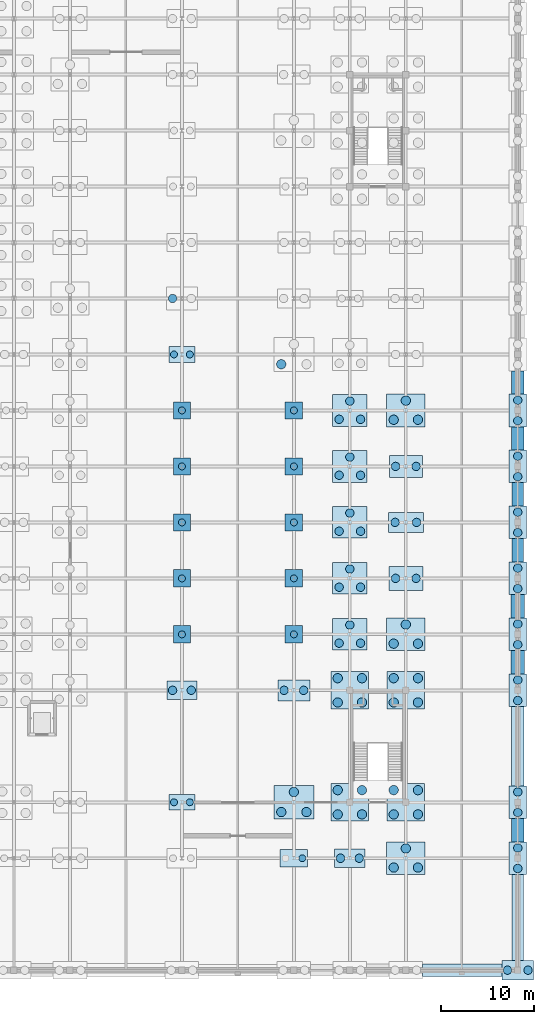
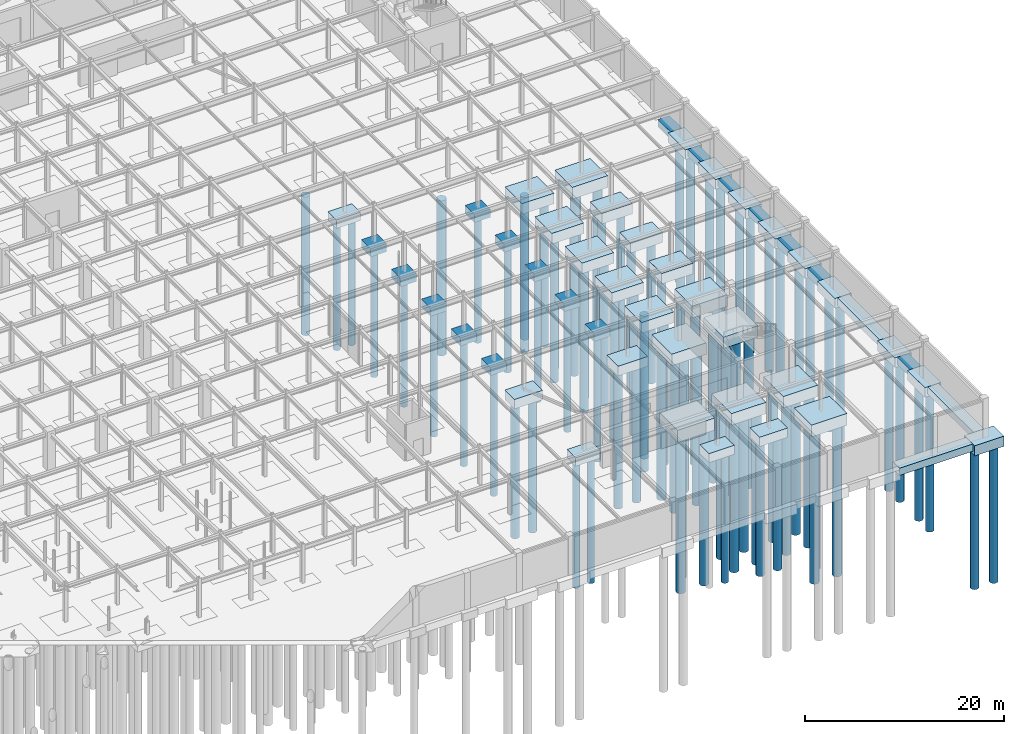
# One storey, part 9 of 69: 90 piles, 51 footings.
"""IFC4 building model written with IfcOpenShell, lengths in metres."""

import ifcopenshell
import ifcopenshell.guid

model = None  # the IFC model being written
_history = None  # IfcOwnerHistory: only IFC2X3 demands one
_inside = {}  # id of a spatial element -> (the spatial element, [elements in it])
_under = {}  # id of a project, library or spatial element -> (it, [spatial elements below it])
_declared = {}  # id of a project -> (the project, [libraries it declares])
_typed = {}  # id of a type object -> (the type object, [elements of that type])
_made_of = {}  # id of a material, layer set ... -> (it, [elements and type objects made of it])


def new_model(schema):
    """Start an empty IFC model of exactly this schema.

    Asked for "IFC4X3", IfcOpenShell would pick the latest addendum, in which some entities
    have other attributes; the version numbers below select the first issue.
    IFC2X3 requires an IfcOwnerHistory on every rooted entity: one is made here for all.
    """
    global model, _history
    if schema == "IFC4X3":
        model = ifcopenshell.file(schema_version=(4, 3, 0, 0))
    else:
        model = ifcopenshell.file(schema=schema)
    _inside.clear()
    _under.clear()
    _declared.clear()
    _typed.clear()
    _made_of.clear()
    _history = None
    if model.schema == "IFC2X3":
        org = make("IfcOrganization", Name="unknown")
        user = make(
            "IfcPersonAndOrganization",
            ThePerson=make("IfcPerson", FamilyName="unknown"),
            TheOrganization=org,
        )
        app = make(
            "IfcApplication",
            ApplicationDeveloper=org,
            Version="unknown",
            ApplicationFullName="unknown",
            ApplicationIdentifier="unknown",
        )
        _history = make(
            "IfcOwnerHistory",
            OwningUser=user,
            OwningApplication=app,
            ChangeAction="ADDED",
            CreationDate=0,
        )
    return model


def make(cls, **values):
    """One entity of the class cls with the attributes given. An attribute that is None is left unset."""
    return model.create_entity(
        cls, **{name: value for name, value in values.items() if value is not None}
    )


def rooted(cls, **values):
    """An entity with a GlobalId (a new one), such as an element, a storey or a relation."""
    return make(cls, GlobalId=ifcopenshell.guid.new(), OwnerHistory=_history, **values)


def si_unit(unit_type, name, prefix=None):
    """IfcSIUnit, for example si_unit("LENGTHUNIT", "METRE", prefix="MILLI")."""
    return make("IfcSIUnit", UnitType=unit_type, Prefix=prefix, Name=name)


def assignment(units):
    """IfcUnitAssignment: the units of a project."""
    return None if units is None else make("IfcUnitAssignment", Units=units)


def point(xyz):
    """IfcCartesianPoint."""
    return None if xyz is None else make("IfcCartesianPoint", Coordinates=xyz)


def direction(xyz):
    """IfcDirection."""
    return None if xyz is None else make("IfcDirection", DirectionRatios=xyz)


def frame(location, z_axis=None, x_axis=None):
    """IfcAxis2Placement3D, a coordinate frame: its origin and axes. An axis left out is left unset."""
    return make(
        "IfcAxis2Placement3D",
        Location=point(location),
        Axis=direction(z_axis),
        RefDirection=direction(x_axis),
    )


def frame_2d(location, x_axis=None):
    """IfcAxis2Placement2D, a coordinate frame in the plane: its origin and x axis."""
    return make(
        "IfcAxis2Placement2D", Location=point(location), RefDirection=direction(x_axis)
    )


def origin():
    """The frame at (0, 0, 0) with its axes left unset."""
    return frame((0.0, 0.0, 0.0))


def origin_2d():
    """The frame at (0, 0) in the plane with its x axis left unset."""
    return frame_2d((0.0, 0.0))


def place(relative_to, where):
    """IfcLocalPlacement: puts the frame where relative to a parent placement (None: the world)."""
    return make(
        "IfcLocalPlacement", PlacementRelTo=relative_to, RelativePlacement=where
    )


def context(
    kind, dimensions, precision=None, world=None, true_north=None, identifier=None
):
    """IfcGeometricRepresentationContext, for example the 3D "Model" context."""
    return make(
        "IfcGeometricRepresentationContext",
        ContextIdentifier=identifier,
        ContextType=kind,
        CoordinateSpaceDimension=dimensions,
        Precision=precision,
        WorldCoordinateSystem=world,
        TrueNorth=true_north,
    )


def subcontext(parent, identifier, kind, view, scale=None):
    """IfcGeometricRepresentationSubContext, for example "Body" below "Model"."""
    return make(
        "IfcGeometricRepresentationSubContext",
        ContextIdentifier=identifier,
        ContextType=kind,
        ParentContext=parent,
        TargetScale=scale,
        TargetView=view,
    )


def project(units=None, contexts=None):
    """IfcProject with its units and contexts."""
    return rooted(
        "IfcProject",
        Name="project",
        RepresentationContexts=contexts,
        UnitsInContext=assignment(units),
    )


def spatial(cls, under=None, at=None, **own):
    """A site, building, storey or space (cls), placed at a placement, below another one or the project."""
    s = rooted(cls, ObjectPlacement=at, **own)
    if under is not None:
        _under.setdefault(under.id(), (under, []))[1].append(s)
    return s


def profile(cls, at=None, kind="AREA", **sizes):
    """A parametric profile (cls). Its sizes go by their IFC names, for example OverallWidth=200.0."""
    return make(cls, ProfileType=kind, Position=at, **sizes)


def rectangle(**sizes):
    """IfcRectangleProfileDef."""
    return profile("IfcRectangleProfileDef", **sizes)


def circle(**sizes):
    """IfcCircleProfileDef."""
    return profile("IfcCircleProfileDef", **sizes)


def extrude(swept, where, along, depth):
    """IfcExtrudedAreaSolid: the profile swept, set in the frame where, extruded along a direction by depth."""
    return make(
        "IfcExtrudedAreaSolid",
        SweptArea=swept,
        Position=where,
        ExtrudedDirection=direction(along),
        Depth=depth,
    )


def shape(context_of_items, identifier, shape_type, items):
    """IfcShapeRepresentation: the items that make up one representation, for example the "Body"."""
    return make(
        "IfcShapeRepresentation",
        ContextOfItems=context_of_items,
        RepresentationIdentifier=identifier,
        RepresentationType=shape_type,
        Items=items,
    )


def material(Name=None, Category=None):
    """IfcMaterial."""
    return make("IfcMaterial", Name=Name, Category=Category)


def material_profile(
    of_material, cross_section, Name=None, Category=None, Priority=None
):
    """IfcMaterialProfile: a cross section and its material."""
    return make(
        "IfcMaterialProfile",
        Name=Name,
        Material=of_material,
        Profile=cross_section,
        Priority=Priority,
        Category=Category,
    )


def profile_set(profiles, Name=None, composite=None):
    """IfcMaterialProfileSet."""
    return make(
        "IfcMaterialProfileSet",
        Name=Name,
        MaterialProfiles=profiles,
        CompositeProfile=composite,
    )


def made_of(thing, what):
    """Note that an element or type object is made of a material, layer set ...; save() writes the relation."""
    if what is not None:
        _made_of.setdefault(what.id(), (what, []))[1].append(thing)
    return thing


def type_object(cls, material=None, **own):
    """A type object (cls), such as IfcWallType, which elements share."""
    return made_of(rooted(cls, **own), material)


def element(
    cls,
    number,
    at=None,
    inside=None,
    cuts=None,
    type_object=None,
    material=None,
    context=None,
    identifier="Body",
    shape_type=None,
    held_by="IfcProductDefinitionShape",
    body=None,
    shapes=None,
    **own,
):
    """One element of the class cls, such as IfcWall. Its Tag is "e" and its number.

    at: its placement. inside: the storey or other place that contains it. cuts: it is an
    opening in that element (IfcRelVoidsElement). A single representation is given by context,
    identifier, shape_type and body (its items); several are given by shapes. held_by: the class
    of the entity that holds the representations. save() writes the other relations.
    """
    e = rooted(cls, Tag="e%d" % number, ObjectPlacement=at, **own)
    if body is not None:
        shapes = [shape(context, identifier, shape_type, body)]
    if shapes is not None:
        e.Representation = make(held_by, Representations=shapes)
    if inside is not None:
        _inside.setdefault(inside.id(), (inside, []))[1].append(e)
    if cuts is not None:
        rooted(
            "IfcRelVoidsElement", RelatingBuildingElement=cuts, RelatedOpeningElement=e
        )
    if type_object is not None:
        _typed.setdefault(type_object.id(), (type_object, []))[1].append(e)
    return made_of(e, material)


def aggregate(whole, parts):
    """IfcRelAggregates: a whole, such as a stair, and the parts it consists of."""
    return rooted("IfcRelAggregates", RelatingObject=whole, RelatedObjects=parts)


def save(model, path):
    """Write the relations noted so far, then the file.

    IfcRelAggregates (storeys below a building ...), IfcRelContainedInSpatialStructure (elements
    in a storey), IfcRelDefinesByType, IfcRelAssociatesMaterial and IfcRelDeclares: one each for
    every whole, place, type object, material and project.
    """
    for whole, parts in _under.values():
        aggregate(whole, parts)
    for where, things in _inside.values():
        rooted(
            "IfcRelContainedInSpatialStructure",
            RelatedElements=things,
            RelatingStructure=where,
        )
    for kind, things in _typed.values():
        rooted("IfcRelDefinesByType", RelatedObjects=things, RelatingType=kind)
    for what, things in _made_of.values():
        rooted("IfcRelAssociatesMaterial", RelatedObjects=things, RelatingMaterial=what)
    for by, libraries in _declared.values():
        rooted("IfcRelDeclares", RelatingContext=by, RelatedDefinitions=libraries)
    model.write(path)


model = new_model("IFC4")

# Units and contexts
model_context = context("Model", 3, precision=1e-05, world=origin(), true_north=direction((0.0, 1.0)))
body_context = subcontext(model_context, "Body", "Model", "MODEL_VIEW")
ifc_project = project(units=[si_unit("LENGTHUNIT", "METRE"), si_unit("AREAUNIT", "SQUARE_METRE"), si_unit("VOLUMEUNIT", "CUBIC_METRE"), si_unit("PLANEANGLEUNIT", "RADIAN"), si_unit("MASSUNIT", "GRAM", prefix="KILO")], contexts=[model_context])

# Site, building, storey
site_placement = place(None, origin())
site = spatial("IfcSite", under=ifc_project, at=site_placement, CompositionType="ELEMENT")
building_placement = place(site_placement, origin())
building = spatial("IfcBuilding", under=site, at=building_placement, Name="Zlatovratsky Civic Hall", CompositionType="ELEMENT")
storey_placement = place(building_placement, frame((0.0, 0.0, -4.800048828125)))
storey = spatial("IfcBuildingStorey", under=building, at=storey_placement, Name="B1", CompositionType="ELEMENT", Elevation=-4.800048828125)

# Footings
ifc_material = material(Name="Concrete C25/30 (B30)", Category="concrete")
footing_type_1 = type_object("IfcFootingType", Name="Footing_Cap1_CourtUnder_1850x1850x1000", PredefinedType="PILE_CAP", material=ifc_material)
for number, where, z_axis, x_axis, name in (
    (1, (132.0, 36.0, -1.0), (0.0, 0.0, 1.0), (1.0, 0.0, 0.0), "FD-111"),
    (2, (144.0, 36.0, -1.0), (0.0, 0.0, 1.0), (1.0, 0.0, 0.0), "FD-112"),
    (3, (132.0, 42.0, -1.0), (0.0, 0.0, 1.0), (1.0, 0.0, 0.0), "FD-134"),
    (4, (144.0, 42.0, -1.0), (0.0, 0.0, 1.0), (1.0, 0.0, 0.0), "FD-135"),
    (5, (132.0, 48.0, -1.0), (0.0, 0.0, 1.0), (1.0, 0.0, 0.0), "FD-157"),
    (6, (144.0, 48.0, -1.0), (0.0, 0.0, 1.0), (1.0, 0.0, 0.0), "FD-158"),
    (7, (132.0, 54.0, -1.0), (0.0, 0.0, 1.0), (1.0, 0.0, 0.0), "FD-180"),
    (8, (144.0, 54.0, -1.0), (0.0, 0.0, 1.0), (1.0, 0.0, 0.0), "FD-181"),
    (9, (132.0, 60.0, -1.0), (0.0, 0.0, 1.0), (1.0, 0.0, 0.0), "FD-203"),
    (10, (144.0, 60.0, -1.0), (0.0, 0.0, 1.0), (1.0, 0.0, 0.0), "FD-204"),
):
    element("IfcFooting", number, at=place(storey_placement, frame(where, z_axis=z_axis, x_axis=x_axis)), inside=storey, type_object=footing_type_1, Name=name, PredefinedType="PILE_CAP", context=body_context, shape_type="SweptSolid", body=[
        extrude(rectangle(XDim=1.85009765625, YDim=1.85009765625, at=origin_2d()), origin(), (0.0, 0.0, 1.0), 1.0),
    ])
footing_type_2 = type_object("IfcFootingType", Name="Footing_Cap2_ArchiveS_3250x1950x1150", PredefinedType="PILE_CAP", material=ifc_material)
for number, where, z_axis, x_axis, name in (
    (11, (150.0, 12.0, -1.14990234375), (0.0, 0.0, 1.0), (1.0, 0.0, 0.0), "FD-044"),
    (12, (132.0, 30.0, -1.14990234375), (0.0, 0.0, 1.0), (1.0, 0.0, 0.0), "FD-088"),
):
    element("IfcFooting", number, at=place(storey_placement, frame(where, z_axis=z_axis, x_axis=x_axis)), inside=storey, type_object=footing_type_2, Name=name, PredefinedType="PILE_CAP", context=body_context, shape_type="SweptSolid", body=[
        extrude(rectangle(XDim=3.25, YDim=1.949951171875, at=origin_2d()), origin(), (0.0, 0.0, 1.0), 1.14990234375),
    ])
footing_type_3 = type_object("IfcFootingType", Name="Footing_Cap2_Boulevard_3550x2350x1300", PredefinedType="PILE_CAP", material=ifc_material)
footing_1_placement = place(storey_placement, frame((156.0, 54.0, -1.2998046875), z_axis=(0.0, 0.0, 1.0), x_axis=(1.0, 0.0, 0.0)))
element("IfcFooting", 13, at=footing_1_placement, inside=storey, type_object=footing_type_3, Name="FD-183", PredefinedType="PILE_CAP", context=body_context, shape_type="SweptSolid", body=[
    extrude(rectangle(XDim=3.550048828125, YDim=2.35009765625, at=origin_2d()), origin(), (0.0, 0.0, 1.0), 1.300048828125),
])
footing_type_4 = type_object("IfcFootingType", Name="Footing_Cap2_CornerBastion_3400x2100x1250", PredefinedType="PILE_CAP", material=ifc_material)
footing_2_placement = place(storey_placement, frame((168.0, 0.0, -1.25), z_axis=(0.0, 0.0, 1.0), x_axis=(1.0, 0.0, 0.0)))
element("IfcFooting", 14, at=footing_2_placement, inside=storey, type_object=footing_type_4, Name="FD-023", PredefinedType="PILE_CAP", context=body_context, shape_type="SweptSolid", body=[
    extrude(rectangle(XDim=3.39990234375, YDim=2.10009765625, at=origin_2d()), origin(), (0.0, 0.0, 1.0), 1.25),
])
footing_type_5 = type_object("IfcFootingType", Name="Footing_Cap2_CourtN_2950x1850x1100", PredefinedType="PILE_CAP", material=ifc_material)
footing_3_placement = place(storey_placement, frame((144.0, 12.0, -1.10009765625), z_axis=(0.0, 0.0, 1.0), x_axis=(1.0, 0.0, 0.0)))
element("IfcFooting", 15, at=footing_3_placement, inside=storey, type_object=footing_type_5, Name="FD-043", PredefinedType="PILE_CAP", context=body_context, shape_type="SweptSolid", body=[
    extrude(rectangle(XDim=2.949951171875, YDim=1.85009765625, at=origin_2d()), origin(), (0.0, 0.0, 1.0), 1.10009765625),
])
footing_type_6 = type_object("IfcFootingType", Name="Footing_Cap2_CourtS_2800x1700x1050", PredefinedType="PILE_CAP", material=ifc_material)
for number, where, z_axis, x_axis, name in (
    (16, (132.0, 18.0, -1.0498046875), (0.0, 0.0, 1.0), (1.0, 0.0, 0.0), "FD-065"),
    (17, (132.0, 66.0, -1.0498046875), (0.0, 0.0, 1.0), (1.0, 0.0, 0.0), "FD-226"),
):
    element("IfcFooting", number, at=place(storey_placement, frame(where, z_axis=z_axis, x_axis=x_axis)), inside=storey, type_object=footing_type_6, Name=name, PredefinedType="PILE_CAP", context=body_context, shape_type="SweptSolid", body=[
        extrude(rectangle(XDim=2.800048828125, YDim=1.699951171875, at=origin_2d()), origin(), (0.0, 0.0, 1.0), 1.050048828125),
    ])
footing_type_7 = type_object("IfcFootingType", Name="Footing_Cap2_LibraryE_3650x2550x1300", PredefinedType="PILE_CAP", material=ifc_material)
footing_4_placement = place(storey_placement, frame((156.0, 42.0, -1.2998046875), z_axis=(0.0, 0.0, 1.0), x_axis=(1.0, 0.0, 0.0)))
element("IfcFooting", 18, at=footing_4_placement, inside=storey, type_object=footing_type_7, Name="FD-137", PredefinedType="PILE_CAP", context=body_context, shape_type="SweptSolid", body=[
    extrude(rectangle(XDim=3.64990234375, YDim=2.550048828125, at=origin_2d()), origin(), (0.0, 0.0, 1.0), 1.300048828125),
])
footing_type_8 = type_object("IfcFootingType", Name="Footing_Cap2_ReceptionW_3450x2250x1200", PredefinedType="PILE_CAP", material=ifc_material)
footing_5_placement = place(storey_placement, frame((144.0, 30.0, -1.19970703125), z_axis=(0.0, 0.0, 1.0), x_axis=(1.0, 0.0, 0.0)))
element("IfcFooting", 19, at=footing_5_placement, inside=storey, type_object=footing_type_8, Name="FD-089", PredefinedType="PILE_CAP", context=body_context, shape_type="SweptSolid", body=[
    extrude(rectangle(XDim=3.449951171875, YDim=2.25, at=origin_2d()), origin(), (0.0, 0.0, 1.0), 1.199951171875),
])
footing_type_9 = type_object("IfcFootingType", Name="Footing_Cap2_ServiceE_3750x2150x1250", PredefinedType="PILE_CAP", material=ifc_material)
footing_6_placement = place(storey_placement, frame((156.0, 48.0, -1.25), z_axis=(0.0, 0.0, 1.0), x_axis=(1.0, 0.0, 0.0)))
element("IfcFooting", 20, at=footing_6_placement, inside=storey, type_object=footing_type_9, Name="FD-160", PredefinedType="PILE_CAP", context=body_context, shape_type="SweptSolid", body=[
    extrude(rectangle(XDim=3.75, YDim=2.14990234375, at=origin_2d()), origin(), (0.0, 0.0, 1.0), 1.25),
])
footing_type_10 = type_object("IfcFootingType", Name="Footing_Cap2_WingEdgeY_1900x3500x1200", PredefinedType="PILE_CAP", material=ifc_material)
for number, where, z_axis, x_axis, name in (
    (21, (168.0, 12.0, -1.19970703125), (0.0, 0.0, 1.0), (1.0, 0.0, 0.0), "FD-046"),
    (22, (168.0, 18.0, -1.19970703125), (0.0, 0.0, 1.0), (1.0, 0.0, 0.0), "FD-069"),
    (23, (168.0, 30.0, -1.19970703125), (0.0, 0.0, 1.0), (1.0, 0.0, 0.0), "FD-092"),
    (24, (168.0, 36.0, -1.19970703125), (0.0, 0.0, 1.0), (1.0, 0.0, 0.0), "FD-115"),
    (25, (168.0, 42.0, -1.19970703125), (0.0, 0.0, 1.0), (1.0, 0.0, 0.0), "FD-138"),
    (26, (168.0, 48.0, -1.19970703125), (0.0, 0.0, 1.0), (1.0, 0.0, 0.0), "FD-161"),
    (27, (168.0, 54.0, -1.19970703125), (0.0, 0.0, 1.0), (1.0, 0.0, 0.0), "FD-184"),
    (28, (168.0, 60.0, -1.19970703125), (0.0, 0.0, 1.0), (1.0, 0.0, 0.0), "FD-207"),
):
    element("IfcFooting", number, at=place(storey_placement, frame(where, z_axis=z_axis, x_axis=x_axis)), inside=storey, type_object=footing_type_10, Name=name, PredefinedType="PILE_CAP", context=body_context, shape_type="SweptSolid", body=[
        extrude(rectangle(XDim=1.89990234375, YDim=3.5, at=origin_2d()), origin(), (0.0, 0.0, 1.0), 1.199951171875),
    ])
footing_type_11 = type_object("IfcFootingType", Name="Footing_Cap3_CourtEdge_3700x3400x1300", PredefinedType="PILE_CAP", material=ifc_material)
for number, where, z_axis, x_axis, name in (
    (29, (150.0, 36.0, -1.2998046875), (0.0, 0.0, 1.0), (1.0, 0.0, 0.0), "FD-113"),
    (30, (150.0, 42.0, -1.2998046875), (0.0, 0.0, 1.0), (1.0, 0.0, 0.0), "FD-136"),
    (31, (150.0, 48.0, -1.2998046875), (0.0, 0.0, 1.0), (1.0, 0.0, 0.0), "FD-159"),
    (32, (150.0, 54.0, -1.2998046875), (0.0, 0.0, 1.0), (1.0, 0.0, 0.0), "FD-182"),
    (33, (150.0, 60.0, -1.2998046875), (0.0, 0.0, 1.0), (1.0, 0.0, 0.0), "FD-205"),
):
    element("IfcFooting", number, at=place(storey_placement, frame(where, z_axis=z_axis, x_axis=x_axis)), inside=storey, type_object=footing_type_11, Name=name, PredefinedType="PILE_CAP", context=body_context, shape_type="SweptSolid", body=[
        extrude(rectangle(XDim=3.699951171875, YDim=3.39990234375, at=origin_2d()), origin(), (0.0, 0.0, 1.0), 1.300048828125),
    ])
footing_type_12 = type_object("IfcFootingType", Name="Footing_Cap3_TowerFlank_4100x3500x1450", PredefinedType="PILE_CAP", material=ifc_material)
for number, where, z_axis, x_axis, name in (
    (34, (156.0, 12.0, -1.44970703125), (0.0, 0.0, 1.0), (1.0, 0.0, 0.0), "FD-045"),
    (35, (156.0, 36.0, -1.44970703125), (0.0, 0.0, 1.0), (1.0, 0.0, 0.0), "FD-114"),
    (36, (156.0, 60.0, -1.44970703125), (0.0, 0.0, 1.0), (1.0, 0.0, 0.0), "FD-206"),
):
    element("IfcFooting", number, at=place(storey_placement, frame(where, z_axis=z_axis, x_axis=x_axis)), inside=storey, type_object=footing_type_12, Name=name, PredefinedType="PILE_CAP", context=body_context, shape_type="SweptSolid", body=[
        extrude(rectangle(XDim=4.10009765625, YDim=3.5, at=origin_2d()), origin(), (0.0, 0.0, 1.0), 1.449951171875),
    ])
footing_type_13 = type_object("IfcFootingType", Name="Footing_Cap3_TowerNorth_4300x3600x1500", PredefinedType="PILE_CAP", material=ifc_material)
footing_7_placement = place(storey_placement, frame((144.0, 18.0, -1.5), z_axis=(0.0, 0.0, 1.0), x_axis=(1.0, 0.0, 0.0)))
element("IfcFooting", 37, at=footing_7_placement, inside=storey, type_object=footing_type_13, Name="FD-066", PredefinedType="PILE_CAP", context=body_context, shape_type="SweptSolid", body=[
    extrude(rectangle(XDim=4.300048828125, YDim=3.60009765625, at=origin_2d()), origin(), (0.0, 0.0, 1.0), 1.5),
])
footing_type_14 = type_object("IfcFootingType", Name="Footing_Cap4_PodiumCore_4000x4000x1400", PredefinedType="PILE_CAP", material=ifc_material)
for number, where, z_axis, x_axis, name in (
    (38, (150.0, 18.0, -1.39990234375), (0.0, 0.0, 1.0), (1.0, 0.0, 0.0), "FD-067"),
    (39, (156.0, 18.0, -1.39990234375), (0.0, 0.0, 1.0), (1.0, 0.0, 0.0), "FD-068"),
    (40, (150.0, 30.0, -1.39990234375), (0.0, 0.0, 1.0), (1.0, 0.0, 0.0), "FD-090"),
    (41, (156.0, 30.0, -1.39990234375), (0.0, 0.0, 1.0), (1.0, 0.0, 0.0), "FD-091"),
):
    element("IfcFooting", number, at=place(storey_placement, frame(where, z_axis=z_axis, x_axis=x_axis)), inside=storey, type_object=footing_type_14, Name=name, PredefinedType="PILE_CAP", context=body_context, shape_type="SweptSolid", body=[
        extrude(rectangle(XDim=4.0, YDim=4.0, at=origin_2d()), origin(), (0.0, 0.0, 1.0), 1.39990234375),
    ])
footing_type_15 = type_object("IfcFootingType", Name="Footing_Strip_B1_01", PredefinedType="STRIP_FOOTING", material=ifc_material)
footing_8_placement = place(storey_placement, frame((168.0, 45.0, -0.85009765625), z_axis=(0.0, 0.0, 1.0), x_axis=(1.0, 0.0, 0.0)))
element("IfcFooting", 42, at=footing_8_placement, inside=storey, type_object=footing_type_15, Name="FD-481", PredefinedType="STRIP_FOOTING", context=body_context, shape_type="SweptSolid", body=[
    extrude(rectangle(XDim=1.199951171875, YDim=2.5, at=origin_2d()), origin(), (0.0, 0.0, 1.0), 0.85009765625),
])
footing_type_16 = type_object("IfcFootingType", Name="Footing_Strip_B1_02", PredefinedType="STRIP_FOOTING", material=ifc_material)
footing_9_placement = place(storey_placement, frame((168.0, 5.64990234375, -0.85009765625), z_axis=(0.0, 0.0, 1.0), x_axis=(1.0, 0.0, 0.0)))
element("IfcFooting", 43, at=footing_9_placement, inside=storey, type_object=footing_type_16, Name="FD-476", PredefinedType="STRIP_FOOTING", context=body_context, shape_type="SweptSolid", body=[
    extrude(rectangle(XDim=1.25, YDim=9.199951171875, at=origin_2d()), origin(), (0.0, 0.0, 1.0), 0.85009765625),
])
footing_10_placement = place(storey_placement, frame((168.0, 51.0, -0.85009765625), z_axis=(0.0, 0.0, 1.0), x_axis=(1.0, 0.0, 0.0)))
element("IfcFooting", 44, at=footing_10_placement, inside=storey, type_object=footing_type_16, Name="FD-482", PredefinedType="STRIP_FOOTING", context=body_context, shape_type="SweptSolid", body=[
    extrude(rectangle(XDim=1.25, YDim=2.5, at=origin_2d()), origin(), (0.0, 0.0, 1.0), 0.85009765625),
])
footing_type_17 = type_object("IfcFootingType", Name="Footing_Strip_B1_03", PredefinedType="STRIP_FOOTING", material=ifc_material)
for number, where, z_axis, x_axis, name in (
    (45, (168.0, 15.0, -0.89990234375), (0.0, 0.0, 1.0), (1.0, 0.0, 0.0), "FD-477"),
    (46, (168.0, 57.0, -0.89990234375), (0.0, 0.0, 1.0), (1.0, 0.0, 0.0), "FD-483"),
):
    element("IfcFooting", number, at=place(storey_placement, frame(where, z_axis=z_axis, x_axis=x_axis)), inside=storey, type_object=footing_type_17, Name=name, PredefinedType="STRIP_FOOTING", context=body_context, shape_type="SweptSolid", body=[
        extrude(rectangle(XDim=1.300048828125, YDim=2.5, at=origin_2d()), origin(), (0.0, 0.0, 1.0), 0.89990234375),
    ])
footing_type_18 = type_object("IfcFootingType", Name="Footing_Strip_B1_04", PredefinedType="STRIP_FOOTING", material=ifc_material)
footing_11_placement = place(storey_placement, frame((162.050048828125, 0.0, -0.89990234375), z_axis=(0.0, 0.0, 1.0), x_axis=(1.0, 0.0, 0.0)))
element("IfcFooting", 47, at=footing_11_placement, inside=storey, type_object=footing_type_18, Name="FD-436", PredefinedType="STRIP_FOOTING", context=body_context, shape_type="SweptSolid", body=[
    extrude(rectangle(XDim=8.5, YDim=1.35009765625, at=origin_2d()), origin(), (0.0, 0.0, 1.0), 0.89990234375),
])
footing_12_placement = place(storey_placement, frame((168.0, 24.0, -0.89990234375), z_axis=(0.0, 0.0, 1.0), x_axis=(1.0, 0.0, 0.0)))
element("IfcFooting", 48, at=footing_12_placement, inside=storey, type_object=footing_type_18, Name="FD-478", PredefinedType="STRIP_FOOTING", context=body_context, shape_type="SweptSolid", body=[
    extrude(rectangle(XDim=1.35009765625, YDim=8.5, at=origin_2d()), origin(), (0.0, 0.0, 1.0), 0.89990234375),
])
footing_13_placement = place(storey_placement, frame((168.0, 63.0, -0.89990234375), z_axis=(0.0, 0.0, 1.0), x_axis=(1.0, 0.0, 0.0)))
element("IfcFooting", 49, at=footing_13_placement, inside=storey, type_object=footing_type_18, Name="FD-484", PredefinedType="STRIP_FOOTING", context=body_context, shape_type="SweptSolid", body=[
    extrude(rectangle(XDim=1.35009765625, YDim=2.5, at=origin_2d()), origin(), (0.0, 0.0, 1.0), 0.89990234375),
])
footing_type_19 = type_object("IfcFootingType", Name="Footing_Strip_B1_05", PredefinedType="STRIP_FOOTING", material=ifc_material)
footing_14_placement = place(storey_placement, frame((168.0, 33.0, -0.94970703125), z_axis=(0.0, 0.0, 1.0), x_axis=(1.0, 0.0, 0.0)))
element("IfcFooting", 50, at=footing_14_placement, inside=storey, type_object=footing_type_19, Name="FD-479", PredefinedType="STRIP_FOOTING", context=body_context, shape_type="SweptSolid", body=[
    extrude(rectangle(XDim=1.39990234375, YDim=2.5, at=origin_2d()), origin(), (0.0, 0.0, 1.0), 0.949951171875),
])
footing_type_20 = type_object("IfcFootingType", Name="Footing_Strip_B1_06", PredefinedType="STRIP_FOOTING", material=ifc_material)
footing_15_placement = place(storey_placement, frame((168.0, 39.0, -0.94970703125), z_axis=(0.0, 0.0, 1.0), x_axis=(1.0, 0.0, 0.0)))
element("IfcFooting", 51, at=footing_15_placement, inside=storey, type_object=footing_type_20, Name="FD-480", PredefinedType="STRIP_FOOTING", context=body_context, shape_type="SweptSolid", body=[
    extrude(rectangle(XDim=1.449951171875, YDim=2.5, at=origin_2d()), origin(), (0.0, 0.0, 1.0), 0.949951171875),
])

# Piles
ifc_material_profile_1 = material_profile(ifc_material, circle(Radius=0.5, at=origin_2d()), Name="PILE D1000")
ifc_profile_set_1 = profile_set([ifc_material_profile_1], Name="Concrete C25/30 (B30)")
pile_type_1 = type_object("IfcPileType", Name="Pile_Bored_D1000", PredefinedType="BORED", material=ifc_profile_set_1)
for number, where, z_axis, x_axis, name in (
    (52, (154.699951171875, 11.0, -1.349853515625), (0.0, 0.0, -1.0), (1.0, 0.0, 0.0), "PL-0081"),
    (53, (157.300048828125, 11.0, -1.349853515625), (0.0, 0.0, -1.0), (1.0, 0.0, 0.0), "PL-0082"),
    (54, (156.0, 13.050048828125, -1.349853515625), (0.0, 0.0, -1.0), (1.0, 0.0, 0.0), "PL-0083"),
):
    element("IfcPile", number, at=place(storey_placement, frame(where, z_axis=z_axis, x_axis=x_axis)), inside=storey, type_object=pile_type_1, Name=name, PredefinedType="BORED", context=body_context, shape_type="SweptSolid", body=[
        extrude(circle(Radius=0.5, at=origin_2d()), origin(), (0.0, 0.0, 1.0), 18.5),
    ])
for number, where, z_axis, x_axis, name in (
    (55, (142.64990234375, 16.949951171875, -1.39990234375), (0.0, 0.0, -1.0), (1.0, 0.0, 0.0), "PL-0150"),
    (56, (145.35009765625, 16.949951171875, -1.39990234375), (0.0, 0.0, -1.0), (1.0, 0.0, 0.0), "PL-0151"),
    (57, (144.0, 19.10009765625, -1.39990234375), (0.0, 0.0, -1.0), (1.0, 0.0, 0.0), "PL-0152"),
):
    element("IfcPile", number, at=place(storey_placement, frame(where, z_axis=z_axis, x_axis=x_axis)), inside=storey, type_object=pile_type_1, Name=name, PredefinedType="BORED", context=body_context, shape_type="SweptSolid", body=[
        extrude(circle(Radius=0.5, at=origin_2d()), origin(), (0.0, 0.0, 1.0), 19.0),
    ])
for number, where, z_axis, x_axis, name in (
    (58, (148.699951171875, 16.699951171875, -1.300048828125), (0.0, 0.0, -1.0), (1.0, 0.0, 0.0), "PL-0153"),
    (59, (151.300048828125, 16.699951171875, -1.300048828125), (0.0, 0.0, -1.0), (1.0, 0.0, 0.0), "PL-0154"),
    (60, (148.699951171875, 19.300048828125, -1.300048828125), (0.0, 0.0, -1.0), (1.0, 0.0, 0.0), "PL-0155"),
    (61, (151.300048828125, 19.300048828125, -1.300048828125), (0.0, 0.0, -1.0), (1.0, 0.0, 0.0), "PL-0156"),
    (62, (154.699951171875, 16.699951171875, -1.300048828125), (0.0, 0.0, -1.0), (1.0, 0.0, 0.0), "PL-0157"),
    (63, (157.300048828125, 16.699951171875, -1.300048828125), (0.0, 0.0, -1.0), (1.0, 0.0, 0.0), "PL-0158"),
    (64, (154.699951171875, 19.300048828125, -1.300048828125), (0.0, 0.0, -1.0), (1.0, 0.0, 0.0), "PL-0159"),
    (65, (157.300048828125, 19.300048828125, -1.300048828125), (0.0, 0.0, -1.0), (1.0, 0.0, 0.0), "PL-0160"),
    (66, (148.699951171875, 28.699951171875, -1.300048828125), (0.0, 0.0, -1.0), (1.0, 0.0, 0.0), "PL-0232"),
    (67, (151.300048828125, 28.699951171875, -1.300048828125), (0.0, 0.0, -1.0), (1.0, 0.0, 0.0), "PL-0233"),
    (68, (148.699951171875, 31.300048828125, -1.300048828125), (0.0, 0.0, -1.0), (1.0, 0.0, 0.0), "PL-0234"),
    (69, (151.300048828125, 31.300048828125, -1.300048828125), (0.0, 0.0, -1.0), (1.0, 0.0, 0.0), "PL-0235"),
    (70, (154.699951171875, 28.699951171875, -1.300048828125), (0.0, 0.0, -1.0), (1.0, 0.0, 0.0), "PL-0236"),
    (71, (157.300048828125, 28.699951171875, -1.300048828125), (0.0, 0.0, -1.0), (1.0, 0.0, 0.0), "PL-0237"),
    (72, (154.699951171875, 31.300048828125, -1.300048828125), (0.0, 0.0, -1.0), (1.0, 0.0, 0.0), "PL-0238"),
    (73, (157.300048828125, 31.300048828125, -1.300048828125), (0.0, 0.0, -1.0), (1.0, 0.0, 0.0), "PL-0239"),
    (74, (154.699951171875, 35.0, -1.349853515625), (0.0, 0.0, -1.0), (1.0, 0.0, 0.0), "PL-0307"),
    (75, (157.300048828125, 35.0, -1.349853515625), (0.0, 0.0, -1.0), (1.0, 0.0, 0.0), "PL-0308"),
    (76, (156.0, 37.050048828125, -1.349853515625), (0.0, 0.0, -1.0), (1.0, 0.0, 0.0), "PL-0309"),
    (77, (154.699951171875, 59.0, -1.349853515625), (0.0, 0.0, -1.0), (1.0, 0.0, 0.0), "PL-0511"),
    (78, (157.300048828125, 59.0, -1.349853515625), (0.0, 0.0, -1.0), (1.0, 0.0, 0.0), "PL-0512"),
    (79, (156.0, 61.050048828125, -1.349853515625), (0.0, 0.0, -1.0), (1.0, 0.0, 0.0), "PL-0513"),
):
    element("IfcPile", number, at=place(storey_placement, frame(where, z_axis=z_axis, x_axis=x_axis)), inside=storey, type_object=pile_type_1, Name=name, PredefinedType="BORED", context=body_context, shape_type="SweptSolid", body=[
        extrude(circle(Radius=0.5, at=origin_2d()), origin(), (0.0, 0.0, 1.0), 18.5),
    ])
pile_1_placement = place(storey_placement, frame((142.64990234375, 64.949951171875, -1.39990234375), z_axis=(0.0, 0.0, -1.0), x_axis=(1.0, 0.0, 0.0)))
element("IfcPile", 80, at=pile_1_placement, inside=storey, type_object=pile_type_1, Name="PL-0556", PredefinedType="BORED", context=body_context, shape_type="SweptSolid", body=[
    extrude(circle(Radius=0.5, at=origin_2d()), origin(), (0.0, 0.0, 1.0), 19.0),
])
ifc_material_profile_2 = material_profile(ifc_material, circle(Radius=0.375, at=origin_2d()), Name="PILE D750")
ifc_profile_set_2 = profile_set([ifc_material_profile_2], Name="Concrete C25/30 (B30)")
pile_type_2 = type_object("IfcPileType", Name="Pile_Bored_D750", PredefinedType="BORED", material=ifc_profile_set_2)
pile_2_placement = place(storey_placement, frame((144.89990234375, 12.0, -1.0), z_axis=(0.0, 0.0, -1.0), x_axis=(1.0, 0.0, 0.0)))
element("IfcPile", 81, at=pile_2_placement, inside=storey, type_object=pile_type_2, Name="PL-0078", PredefinedType="BORED", context=body_context, shape_type="SweptSolid", body=[
    extrude(circle(Radius=0.375, at=origin_2d()), origin(), (0.0, 0.0, 1.0), 16.0),
])
for number, where, z_axis, x_axis, name in (
    (82, (131.14990234375, 18.0, -0.949951171875), (0.0, 0.0, -1.0), (1.0, 0.0, 0.0), "PL-0148"),
    (83, (132.85009765625, 18.0, -0.949951171875), (0.0, 0.0, -1.0), (1.0, 0.0, 0.0), "PL-0149"),
    (84, (132.0, 36.0, -0.89990234375), (0.0, 0.0, -1.0), (1.0, 0.0, 0.0), "PL-0302"),
    (85, (144.0, 36.0, -0.89990234375), (0.0, 0.0, -1.0), (1.0, 0.0, 0.0), "PL-0303"),
    (86, (132.0, 42.0, -0.89990234375), (0.0, 0.0, -1.0), (1.0, 0.0, 0.0), "PL-0363"),
    (87, (144.0, 42.0, -0.89990234375), (0.0, 0.0, -1.0), (1.0, 0.0, 0.0), "PL-0364"),
    (88, (132.0, 48.0, -0.89990234375), (0.0, 0.0, -1.0), (1.0, 0.0, 0.0), "PL-0413"),
    (89, (144.0, 48.0, -0.89990234375), (0.0, 0.0, -1.0), (1.0, 0.0, 0.0), "PL-0414"),
    (90, (132.0, 54.0, -0.89990234375), (0.0, 0.0, -1.0), (1.0, 0.0, 0.0), "PL-0459"),
    (91, (144.0, 54.0, -0.89990234375), (0.0, 0.0, -1.0), (1.0, 0.0, 0.0), "PL-0460"),
    (92, (132.0, 60.0, -0.89990234375), (0.0, 0.0, -1.0), (1.0, 0.0, 0.0), "PL-0506"),
    (93, (144.0, 60.0, -0.89990234375), (0.0, 0.0, -1.0), (1.0, 0.0, 0.0), "PL-0507"),
    (94, (131.14990234375, 66.0, -0.949951171875), (0.0, 0.0, -1.0), (1.0, 0.0, 0.0), "PL-0554"),
    (95, (132.85009765625, 66.0, -0.949951171875), (0.0, 0.0, -1.0), (1.0, 0.0, 0.0), "PL-0555"),
):
    element("IfcPile", number, at=place(storey_placement, frame(where, z_axis=z_axis, x_axis=x_axis)), inside=storey, type_object=pile_type_2, Name=name, PredefinedType="BORED", context=body_context, shape_type="SweptSolid", body=[
        extrude(circle(Radius=0.375, at=origin_2d()), origin(), (0.0, 0.0, 1.0), 15.5),
    ])
ifc_material_profile_3 = material_profile(ifc_material, circle(Radius=0.449951171875, at=origin_2d()), Name="PILE D900")
ifc_profile_set_3 = profile_set([ifc_material_profile_3], Name="Concrete C25/30 (B30)")
pile_type_3 = type_object("IfcPileType", Name="Pile_Bored_D900", PredefinedType="BORED", material=ifc_profile_set_3)
for number, where, z_axis, x_axis, name in (
    (96, (166.89990234375, 0.0, -1.14990234375), (0.0, 0.0, -1.0), (1.0, 0.0, 0.0), "PL-0036"),
    (97, (169.10009765625, 0.0, -1.14990234375), (0.0, 0.0, -1.0), (1.0, 0.0, 0.0), "PL-0037"),
):
    element("IfcPile", number, at=place(storey_placement, frame(where, z_axis=z_axis, x_axis=x_axis)), inside=storey, type_object=pile_type_3, Name=name, PredefinedType="BORED", context=body_context, shape_type="SweptSolid", body=[
        extrude(circle(Radius=0.449951171875, at=origin_2d()), origin(), (0.0, 0.0, 1.0), 17.0),
    ])
for number, where, z_axis, x_axis, name in (
    (98, (149.0, 12.0, -1.050048828125), (0.0, 0.0, -1.0), (1.0, 0.0, 0.0), "PL-0079"),
    (99, (151.0, 12.0, -1.050048828125), (0.0, 0.0, -1.0), (1.0, 0.0, 0.0), "PL-0080"),
):
    element("IfcPile", number, at=place(storey_placement, frame(where, z_axis=z_axis, x_axis=x_axis)), inside=storey, type_object=pile_type_3, Name=name, PredefinedType="BORED", context=body_context, shape_type="SweptSolid", body=[
        extrude(circle(Radius=0.449951171875, at=origin_2d()), origin(), (0.0, 0.0, 1.0), 16.5),
    ])
for number, where, z_axis, x_axis, name in (
    (100, (168.0, 10.89990234375, -1.099853515625), (0.0, 0.0, -1.0), (1.0, 0.0, 0.0), "PL-0084"),
    (101, (168.0, 13.10009765625, -1.099853515625), (0.0, 0.0, -1.0), (1.0, 0.0, 0.0), "PL-0085"),
    (102, (168.0, 16.89990234375, -1.099853515625), (0.0, 0.0, -1.0), (1.0, 0.0, 0.0), "PL-0161"),
    (103, (168.0, 19.10009765625, -1.099853515625), (0.0, 0.0, -1.0), (1.0, 0.0, 0.0), "PL-0162"),
):
    element("IfcPile", number, at=place(storey_placement, frame(where, z_axis=z_axis, x_axis=x_axis)), inside=storey, type_object=pile_type_3, Name=name, PredefinedType="BORED", context=body_context, shape_type="SweptSolid", body=[
        extrude(circle(Radius=0.449951171875, at=origin_2d()), origin(), (0.0, 0.0, 1.0), 17.0),
    ])
for number, where, z_axis, x_axis, name in (
    (104, (131.0, 30.0, -1.050048828125), (0.0, 0.0, -1.0), (1.0, 0.0, 0.0), "PL-0228"),
    (105, (133.0, 30.0, -1.050048828125), (0.0, 0.0, -1.0), (1.0, 0.0, 0.0), "PL-0229"),
):
    element("IfcPile", number, at=place(storey_placement, frame(where, z_axis=z_axis, x_axis=x_axis)), inside=storey, type_object=pile_type_3, Name=name, PredefinedType="BORED", context=body_context, shape_type="SweptSolid", body=[
        extrude(circle(Radius=0.449951171875, at=origin_2d()), origin(), (0.0, 0.0, 1.0), 16.5),
    ])
for number, where, z_axis, x_axis, name in (
    (106, (142.949951171875, 30.0, -1.099853515625), (0.0, 0.0, -1.0), (1.0, 0.0, 0.0), "PL-0230"),
    (107, (145.050048828125, 30.0, -1.099853515625), (0.0, 0.0, -1.0), (1.0, 0.0, 0.0), "PL-0231"),
    (108, (168.0, 28.89990234375, -1.099853515625), (0.0, 0.0, -1.0), (1.0, 0.0, 0.0), "PL-0240"),
    (109, (168.0, 31.10009765625, -1.099853515625), (0.0, 0.0, -1.0), (1.0, 0.0, 0.0), "PL-0241"),
):
    element("IfcPile", number, at=place(storey_placement, frame(where, z_axis=z_axis, x_axis=x_axis)), inside=storey, type_object=pile_type_3, Name=name, PredefinedType="BORED", context=body_context, shape_type="SweptSolid", body=[
        extrude(circle(Radius=0.449951171875, at=origin_2d()), origin(), (0.0, 0.0, 1.0), 17.0),
    ])
for number, where, z_axis, x_axis, name in (
    (110, (148.85009765625, 35.050048828125, -1.199951171875), (0.0, 0.0, -1.0), (1.0, 0.0, 0.0), "PL-0304"),
    (111, (151.14990234375, 35.050048828125, -1.199951171875), (0.0, 0.0, -1.0), (1.0, 0.0, 0.0), "PL-0305"),
    (112, (150.0, 37.0, -1.199951171875), (0.0, 0.0, -1.0), (1.0, 0.0, 0.0), "PL-0306"),
):
    element("IfcPile", number, at=place(storey_placement, frame(where, z_axis=z_axis, x_axis=x_axis)), inside=storey, type_object=pile_type_3, Name=name, PredefinedType="BORED", context=body_context, shape_type="SweptSolid", body=[
        extrude(circle(Radius=0.449951171875, at=origin_2d()), origin(), (0.0, 0.0, 1.0), 17.5),
    ])
for number, where, z_axis, x_axis, name in (
    (113, (168.0, 34.89990234375, -1.099853515625), (0.0, 0.0, -1.0), (1.0, 0.0, 0.0), "PL-0310"),
    (114, (168.0, 37.10009765625, -1.099853515625), (0.0, 0.0, -1.0), (1.0, 0.0, 0.0), "PL-0311"),
):
    element("IfcPile", number, at=place(storey_placement, frame(where, z_axis=z_axis, x_axis=x_axis)), inside=storey, type_object=pile_type_3, Name=name, PredefinedType="BORED", context=body_context, shape_type="SweptSolid", body=[
        extrude(circle(Radius=0.449951171875, at=origin_2d()), origin(), (0.0, 0.0, 1.0), 17.0),
    ])
for number, where, z_axis, x_axis, name in (
    (115, (148.85009765625, 41.050048828125, -1.199951171875), (0.0, 0.0, -1.0), (1.0, 0.0, 0.0), "PL-0365"),
    (116, (151.14990234375, 41.050048828125, -1.199951171875), (0.0, 0.0, -1.0), (1.0, 0.0, 0.0), "PL-0366"),
    (117, (150.0, 43.0, -1.199951171875), (0.0, 0.0, -1.0), (1.0, 0.0, 0.0), "PL-0367"),
    (118, (154.89990234375, 42.0, -1.199951171875), (0.0, 0.0, -1.0), (1.0, 0.0, 0.0), "PL-0368"),
    (119, (157.10009765625, 42.0, -1.199951171875), (0.0, 0.0, -1.0), (1.0, 0.0, 0.0), "PL-0369"),
):
    element("IfcPile", number, at=place(storey_placement, frame(where, z_axis=z_axis, x_axis=x_axis)), inside=storey, type_object=pile_type_3, Name=name, PredefinedType="BORED", context=body_context, shape_type="SweptSolid", body=[
        extrude(circle(Radius=0.449951171875, at=origin_2d()), origin(), (0.0, 0.0, 1.0), 17.5),
    ])
for number, where, z_axis, x_axis, name in (
    (120, (168.0, 40.89990234375, -1.099853515625), (0.0, 0.0, -1.0), (1.0, 0.0, 0.0), "PL-0370"),
    (121, (168.0, 43.10009765625, -1.099853515625), (0.0, 0.0, -1.0), (1.0, 0.0, 0.0), "PL-0371"),
):
    element("IfcPile", number, at=place(storey_placement, frame(where, z_axis=z_axis, x_axis=x_axis)), inside=storey, type_object=pile_type_3, Name=name, PredefinedType="BORED", context=body_context, shape_type="SweptSolid", body=[
        extrude(circle(Radius=0.449951171875, at=origin_2d()), origin(), (0.0, 0.0, 1.0), 17.0),
    ])
for number, where, z_axis, x_axis, name in (
    (122, (148.85009765625, 47.050048828125, -1.199951171875), (0.0, 0.0, -1.0), (1.0, 0.0, 0.0), "PL-0415"),
    (123, (151.14990234375, 47.050048828125, -1.199951171875), (0.0, 0.0, -1.0), (1.0, 0.0, 0.0), "PL-0416"),
    (124, (150.0, 49.0, -1.199951171875), (0.0, 0.0, -1.0), (1.0, 0.0, 0.0), "PL-0417"),
    (125, (154.85009765625, 48.0, -1.14990234375), (0.0, 0.0, -1.0), (1.0, 0.0, 0.0), "PL-0418"),
    (126, (157.14990234375, 48.0, -1.14990234375), (0.0, 0.0, -1.0), (1.0, 0.0, 0.0), "PL-0419"),
):
    element("IfcPile", number, at=place(storey_placement, frame(where, z_axis=z_axis, x_axis=x_axis)), inside=storey, type_object=pile_type_3, Name=name, PredefinedType="BORED", context=body_context, shape_type="SweptSolid", body=[
        extrude(circle(Radius=0.449951171875, at=origin_2d()), origin(), (0.0, 0.0, 1.0), 17.5),
    ])
for number, where, z_axis, x_axis, name in (
    (127, (168.0, 46.89990234375, -1.099853515625), (0.0, 0.0, -1.0), (1.0, 0.0, 0.0), "PL-0420"),
    (128, (168.0, 49.10009765625, -1.099853515625), (0.0, 0.0, -1.0), (1.0, 0.0, 0.0), "PL-0421"),
):
    element("IfcPile", number, at=place(storey_placement, frame(where, z_axis=z_axis, x_axis=x_axis)), inside=storey, type_object=pile_type_3, Name=name, PredefinedType="BORED", context=body_context, shape_type="SweptSolid", body=[
        extrude(circle(Radius=0.449951171875, at=origin_2d()), origin(), (0.0, 0.0, 1.0), 17.0),
    ])
for number, where, z_axis, x_axis, name in (
    (129, (148.85009765625, 53.050048828125, -1.199951171875), (0.0, 0.0, -1.0), (1.0, 0.0, 0.0), "PL-0461"),
    (130, (151.14990234375, 53.050048828125, -1.199951171875), (0.0, 0.0, -1.0), (1.0, 0.0, 0.0), "PL-0462"),
    (131, (150.0, 55.0, -1.199951171875), (0.0, 0.0, -1.0), (1.0, 0.0, 0.0), "PL-0463"),
    (132, (154.89990234375, 54.0, -1.199951171875), (0.0, 0.0, -1.0), (1.0, 0.0, 0.0), "PL-0464"),
    (133, (157.10009765625, 54.0, -1.199951171875), (0.0, 0.0, -1.0), (1.0, 0.0, 0.0), "PL-0465"),
):
    element("IfcPile", number, at=place(storey_placement, frame(where, z_axis=z_axis, x_axis=x_axis)), inside=storey, type_object=pile_type_3, Name=name, PredefinedType="BORED", context=body_context, shape_type="SweptSolid", body=[
        extrude(circle(Radius=0.449951171875, at=origin_2d()), origin(), (0.0, 0.0, 1.0), 17.5),
    ])
for number, where, z_axis, x_axis, name in (
    (134, (168.0, 52.89990234375, -1.099853515625), (0.0, 0.0, -1.0), (1.0, 0.0, 0.0), "PL-0466"),
    (135, (168.0, 55.10009765625, -1.099853515625), (0.0, 0.0, -1.0), (1.0, 0.0, 0.0), "PL-0467"),
):
    element("IfcPile", number, at=place(storey_placement, frame(where, z_axis=z_axis, x_axis=x_axis)), inside=storey, type_object=pile_type_3, Name=name, PredefinedType="BORED", context=body_context, shape_type="SweptSolid", body=[
        extrude(circle(Radius=0.449951171875, at=origin_2d()), origin(), (0.0, 0.0, 1.0), 17.0),
    ])
for number, where, z_axis, x_axis, name in (
    (136, (148.85009765625, 59.050048828125, -1.199951171875), (0.0, 0.0, -1.0), (1.0, 0.0, 0.0), "PL-0508"),
    (137, (151.14990234375, 59.050048828125, -1.199951171875), (0.0, 0.0, -1.0), (1.0, 0.0, 0.0), "PL-0509"),
    (138, (150.0, 61.0, -1.199951171875), (0.0, 0.0, -1.0), (1.0, 0.0, 0.0), "PL-0510"),
):
    element("IfcPile", number, at=place(storey_placement, frame(where, z_axis=z_axis, x_axis=x_axis)), inside=storey, type_object=pile_type_3, Name=name, PredefinedType="BORED", context=body_context, shape_type="SweptSolid", body=[
        extrude(circle(Radius=0.449951171875, at=origin_2d()), origin(), (0.0, 0.0, 1.0), 17.5),
    ])
for number, where, z_axis, x_axis, name in (
    (139, (168.0, 58.89990234375, -1.099853515625), (0.0, 0.0, -1.0), (1.0, 0.0, 0.0), "PL-0514"),
    (140, (168.0, 61.10009765625, -1.099853515625), (0.0, 0.0, -1.0), (1.0, 0.0, 0.0), "PL-0515"),
    (141, (131.0, 72.0, -1.14990234375), (0.0, 0.0, -1.0), (1.0, 0.0, 0.0), "PL-0627"),
):
    element("IfcPile", number, at=place(storey_placement, frame(where, z_axis=z_axis, x_axis=x_axis)), inside=storey, type_object=pile_type_3, Name=name, PredefinedType="BORED", context=body_context, shape_type="SweptSolid", body=[
        extrude(circle(Radius=0.449951171875, at=origin_2d()), origin(), (0.0, 0.0, 1.0), 17.0),
    ])

save(model, "model.ifc")
